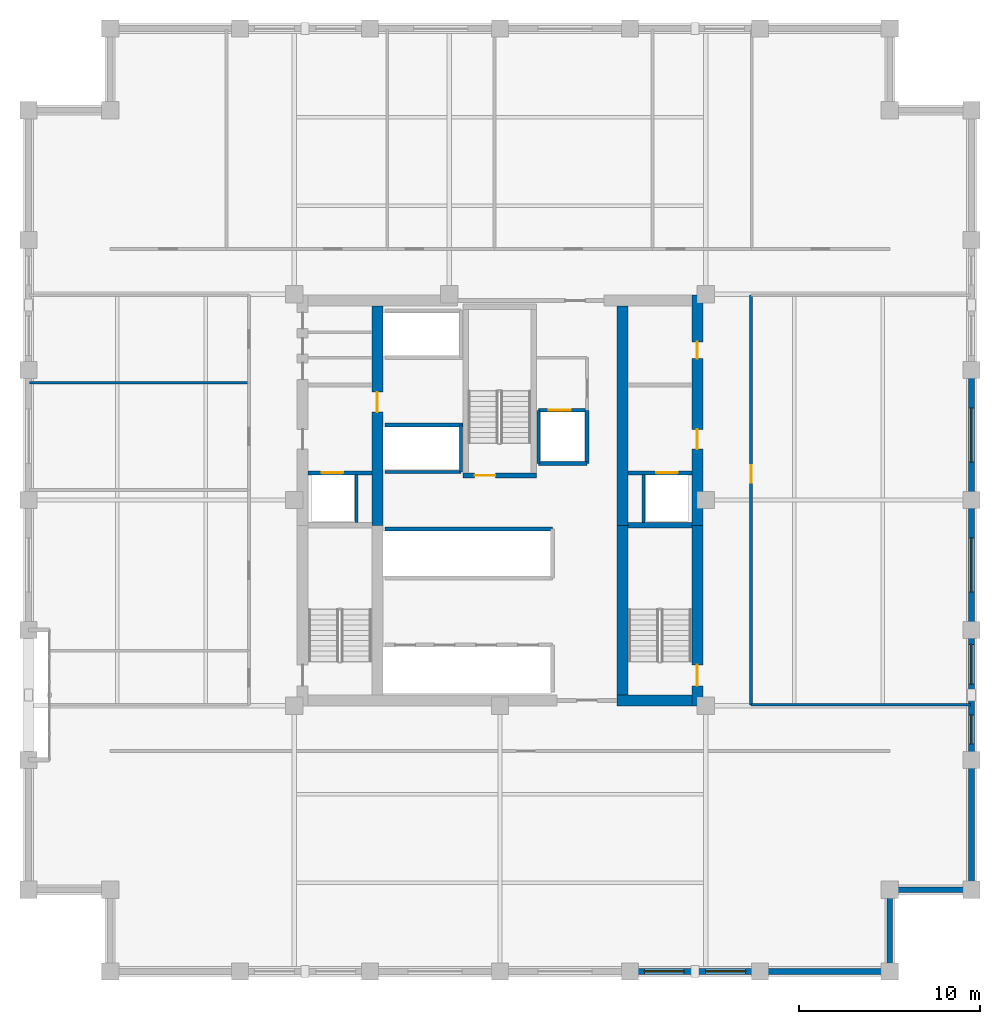
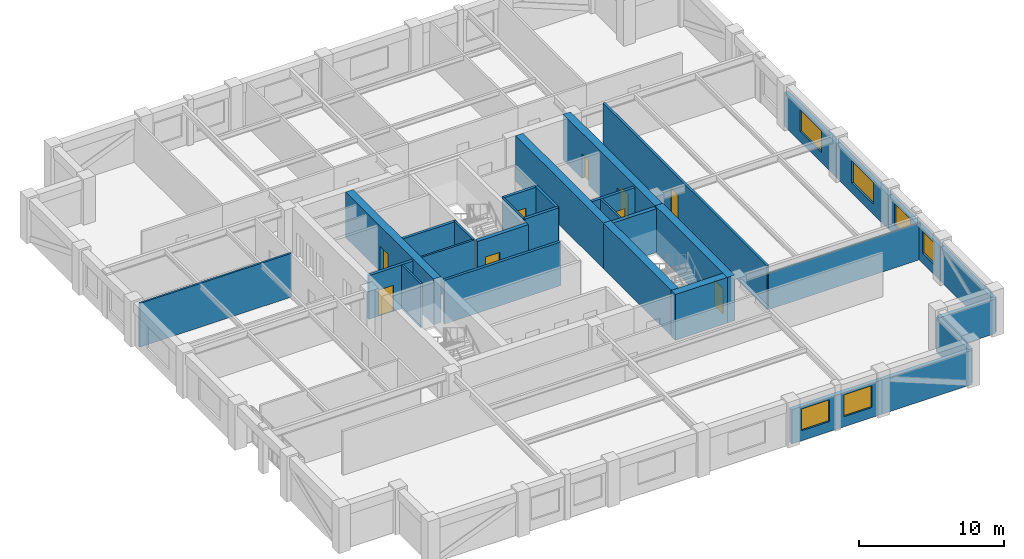
# One storey, part 7 of 11: 31 walls, 9 doors, 6 windows, 15 openings.
"""IFC4 building model written with IfcOpenShell, lengths in metres."""

from ifc_helpers import new_model, si_unit, direction, frame, frame_2d, origin, place, context, subcontext, project, spatial, rectangle, extrude, material, layer, layer_set, type_object, element, fill, save


model = new_model("IFC4")

# Units and contexts
model_context = context("Model", 3, precision=1e-05, world=origin(), true_north=direction((0.0, 1.0)))
body_context = subcontext(model_context, "Body", "Model", "MODEL_VIEW")
ifc_project = project(units=[si_unit("LENGTHUNIT", "METRE"), si_unit("AREAUNIT", "SQUARE_METRE"), si_unit("VOLUMEUNIT", "CUBIC_METRE"), si_unit("PLANEANGLEUNIT", "RADIAN"), si_unit("MASSUNIT", "GRAM", prefix="KILO")], contexts=[model_context])

# Site, building, storey
site_placement = place(None, origin())
site = spatial("IfcSite", under=ifc_project, at=site_placement, CompositionType="ELEMENT")
building_placement = place(site_placement, origin())
building = spatial("IfcBuilding", under=site, at=building_placement, Name="Nhamokura Convention Tower", CompositionType="ELEMENT")
storey_placement = place(building_placement, frame((0.0, 0.0, 168.35009765625)))
storey = spatial("IfcBuildingStorey", under=building, at=storey_placement, Name="L41", CompositionType="ELEMENT", Elevation=168.35009765625)

# Wall, openings, windows
ifc_material_1 = material(Name="Bronze-pigmented precast concrete C45/55", Category="concrete")
ifc_layer_1 = layer(ifc_material_1, 0.320068359375)
ifc_layer_set_1 = layer_set([ifc_layer_1], Name="BronzePrecastSpandrel_320")
wall_type_1 = type_object("IfcWallType", Name="BronzePrecastSpandrel_320", PredefinedType="USERDEFINED", material=ifc_layer_set_1)
wall_1_placement = place(storey_placement, frame((46.333251953125, 6.0, 0.0), z_axis=(0.0, 0.0, 1.0), x_axis=(-1.0, 0.0, 0.0)))
wall_1 = element("IfcWall", 1, at=wall_1_placement, inside=storey, type_object=wall_type_1, Name="L41 Masonry-Frame Wall SOUTH 4", ObjectType="SPANDREL_WALL", PredefinedType="USERDEFINED", context=body_context, shape_type="SweptSolid", body=[
    extrude(rectangle(XDim=7.16650390625, YDim=0.320068359375, at=frame_2d((3.583251953125, 0.0))), origin(), (0.0, 0.0, 1.0), 2.885009765625),
])
opening_1_placement = place(wall_1_placement, frame((0.791748046875, 0.0, 0.85009765625)))
opening_1 = element("IfcOpeningElement", 2, at=opening_1_placement, cuts=wall_1, Name="Opening W-06", PredefinedType="OPENING", context=body_context, shape_type="SweptSolid", body=[
    extrude(rectangle(XDim=2.199951171875, YDim=1.8349609375, at=frame_2d((1.10009765625, 0.91748046875))), frame((0.0, 0.169921875, 0.0), z_axis=(0.0, -1.0, 0.0), x_axis=(1.0, 0.0, 0.0)), (0.0, 0.0, 1.0), 0.340087890625),
])
opening_2_placement = place(wall_1_placement, frame((4.175048828125, 0.0, 0.85009765625)))
opening_2 = element("IfcOpeningElement", 3, at=opening_2_placement, cuts=wall_1, Name="Opening W-06", PredefinedType="OPENING", context=body_context, shape_type="SweptSolid", body=[
    extrude(rectangle(XDim=2.199951171875, YDim=1.8349609375, at=frame_2d((1.10009765625, 0.91748046875))), frame((0.0, 0.169921875, 0.0), z_axis=(0.0, -1.0, 0.0), x_axis=(1.0, 0.0, 0.0)), (0.0, 0.0, 1.0), 0.340087890625),
])
ifc_material_2 = material(Name="Solar-control bronze low-E double glass", Category="glass")
window_type_1 = type_object("IfcWindowType", Name="OfficeModuleWindow_Z2_2200", PartitioningType="SINGLE_PANEL", PredefinedType="WINDOW", material=ifc_material_2)
window_1_placement = place(opening_1_placement, origin())
window_1 = element("IfcWindow", 4, at=window_1_placement, inside=storey, type_object=window_type_1, Name="L41 Facade Window SOUTH 4-1", OverallHeight=1.8349609375, OverallWidth=2.199951171875, PartitioningType="SINGLE_PANEL", PredefinedType="WINDOW", context=body_context, shape_type="SweptSolid", body=[
    extrude(rectangle(XDim=2.199951171875, YDim=1.8349609375, at=frame_2d((1.10009765625, 0.91748046875))), frame((0.0, 0.030029296875, 0.0), z_axis=(0.0, -1.0, 0.0), x_axis=(1.0, 0.0, 0.0)), (0.0, 0.0, 1.0), 0.06005859375),
])
fill(opening_1, window_1)
window_2_placement = place(opening_2_placement, origin())
window_2 = element("IfcWindow", 5, at=window_2_placement, inside=storey, type_object=window_type_1, Name="L41 Facade Window SOUTH 4-2", OverallHeight=1.8349609375, OverallWidth=2.199951171875, PartitioningType="SINGLE_PANEL", PredefinedType="WINDOW", context=body_context, shape_type="SweptSolid", body=[
    extrude(rectangle(XDim=2.199951171875, YDim=1.8349609375, at=frame_2d((1.10009765625, 0.91748046875))), frame((0.0, 0.030029296875, 0.0), z_axis=(0.0, -1.0, 0.0), x_axis=(1.0, 0.0, 0.0)), (0.0, 0.0, 1.0), 0.06005859375),
])
fill(opening_2, window_2)

# Walls
for number, where, z_axis, x_axis, name in (
    (6, (53.5, 6.0, 0.0), (0.0, 0.0, 1.0), (-1.0, 0.0, 0.0), "L41 Braced-Bay Precast Wall SOUTH 5"),
    (7, (58.0, 17.666748046875, 0.0), (0.0, 0.0, 1.0), (0.0, -1.0, 0.0), "L41 Braced-Bay Precast Wall EAST 0"),
):
    element("IfcWall", number, at=place(storey_placement, frame(where, z_axis=z_axis, x_axis=x_axis)), inside=storey, type_object=wall_type_1, Name=name, ObjectType="SPANDREL_WALL", PredefinedType="USERDEFINED", context=body_context, shape_type="SweptSolid", body=[
        extrude(rectangle(XDim=7.166748046875, YDim=0.320068359375, at=frame_2d((3.58349609375, 0.0))), origin(), (0.0, 0.0, 1.0), 2.885009765625),
    ])

# Wall, openings, windows
wall_2_placement = place(storey_placement, frame((58.0, 24.833251953125, 0.0), z_axis=(0.0, 0.0, 1.0), x_axis=(0.0, -1.0, 0.0)))
wall_2 = element("IfcWall", 8, at=wall_2_placement, inside=storey, type_object=wall_type_1, Name="L41 Masonry-Frame Wall EAST 1", ObjectType="SPANDREL_WALL", PredefinedType="USERDEFINED", context=body_context, shape_type="SweptSolid", body=[
    extrude(rectangle(XDim=7.16650390625, YDim=0.320068359375, at=frame_2d((3.583251953125, 0.0))), origin(), (0.0, 0.0, 1.0), 2.885009765625),
])
opening_3_placement = place(wall_2_placement, frame((0.791748046875, 0.0, 0.85009765625)))
opening_3 = element("IfcOpeningElement", 9, at=opening_3_placement, cuts=wall_2, Name="Opening W-06", PredefinedType="OPENING", context=body_context, shape_type="SweptSolid", body=[
    extrude(rectangle(XDim=2.199951171875, YDim=1.8349609375, at=frame_2d((1.10009765625, 0.91748046875))), frame((0.0, 0.169921875, 0.0), z_axis=(0.0, -1.0, 0.0), x_axis=(1.0, 0.0, 0.0)), (0.0, 0.0, 1.0), 0.340087890625),
])
opening_4_placement = place(wall_2_placement, frame((4.6875, 0.0, 0.85009765625)))
opening_4 = element("IfcOpeningElement", 10, at=opening_4_placement, cuts=wall_2, Name="Opening W-11", PredefinedType="OPENING", context=body_context, shape_type="SweptSolid", body=[
    extrude(rectangle(XDim=1.60009765625, YDim=1.8349609375, at=frame_2d((0.800048828125, 0.91748046875))), frame((0.0, 0.169921875, 0.0), z_axis=(0.0, -1.0, 0.0), x_axis=(1.0, 0.0, 0.0)), (0.0, 0.0, 1.0), 0.340087890625),
])
ifc_material_3 = material(Name="Solar-control bronze low-E double glass", Category="glass")
window_type_2 = type_object("IfcWindowType", Name="NotchCornerWindow_1600", PartitioningType="SINGLE_PANEL", PredefinedType="WINDOW", material=ifc_material_3)
window_3_placement = place(opening_4_placement, origin())
window_3 = element("IfcWindow", 11, at=window_3_placement, inside=storey, type_object=window_type_2, Name="L41 Facade Window EAST 1-2", OverallHeight=1.8349609375, OverallWidth=1.60009765625, PartitioningType="SINGLE_PANEL", PredefinedType="WINDOW", context=body_context, shape_type="SweptSolid", body=[
    extrude(rectangle(XDim=1.60009765625, YDim=1.8349609375, at=frame_2d((0.800048828125, 0.91748046875))), frame((0.0, 0.030029296875, 0.0), z_axis=(0.0, -1.0, 0.0), x_axis=(1.0, 0.0, 0.0)), (0.0, 0.0, 1.0), 0.06005859375),
])
fill(opening_4, window_3)
window_4_placement = place(opening_3_placement, origin())
window_4 = element("IfcWindow", 12, at=window_4_placement, inside=storey, type_object=window_type_1, Name="L41 Facade Window EAST 1-1", OverallHeight=1.8349609375, OverallWidth=2.199951171875, PartitioningType="SINGLE_PANEL", PredefinedType="WINDOW", context=body_context, shape_type="SweptSolid", body=[
    extrude(rectangle(XDim=2.199951171875, YDim=1.8349609375, at=frame_2d((1.10009765625, 0.91748046875))), frame((0.0, 0.030029296875, 0.0), z_axis=(0.0, -1.0, 0.0), x_axis=(1.0, 0.0, 0.0)), (0.0, 0.0, 1.0), 0.06005859375),
])
fill(opening_3, window_4)

# Wall, opening, window
wall_3_placement = place(storey_placement, frame((58.0, 32.0, 0.0), z_axis=(0.0, 0.0, 1.0), x_axis=(0.0, -1.0, 0.0)))
wall_3 = element("IfcWall", 13, at=wall_3_placement, inside=storey, type_object=wall_type_1, Name="L41 Masonry-Frame Wall EAST 2", ObjectType="SPANDREL_WALL", PredefinedType="USERDEFINED", context=body_context, shape_type="SweptSolid", body=[
    extrude(rectangle(XDim=7.166748046875, YDim=0.320068359375, at=frame_2d((3.58349609375, 0.0))), origin(), (0.0, 0.0, 1.0), 2.885009765625),
])
opening_5_placement = place(wall_3_placement, frame((2.083251953125, 0.0, 0.85009765625)))
opening_5 = element("IfcOpeningElement", 14, at=opening_5_placement, cuts=wall_3, Name="Opening W-05", PredefinedType="OPENING", context=body_context, shape_type="SweptSolid", body=[
    extrude(rectangle(XDim=3.0, YDim=1.8349609375, at=frame_2d((1.5, 0.91748046875))), frame((0.0, 0.169921875, 0.0), z_axis=(0.0, -1.0, 0.0), x_axis=(1.0, 0.0, 0.0)), (0.0, 0.0, 1.0), 0.340087890625),
])
ifc_material_4 = material(Name="Solar-control bronze low-E double glass", Category="glass")
window_type_3 = type_object("IfcWindowType", Name="OfficeModuleWindow_Z2_3000", PartitioningType="DOUBLE_PANEL_VERTICAL", PredefinedType="WINDOW", material=ifc_material_4)
window_5_placement = place(opening_5_placement, origin())
window_5 = element("IfcWindow", 15, at=window_5_placement, inside=storey, type_object=window_type_3, Name="L41 Facade Window EAST 2", OverallHeight=1.8349609375, OverallWidth=3.0, PartitioningType="SINGLE_PANEL", PredefinedType="WINDOW", context=body_context, shape_type="SweptSolid", body=[
    extrude(rectangle(XDim=3.0, YDim=1.8349609375, at=frame_2d((1.5, 0.91748046875))), frame((0.0, 0.030029296875, 0.0), z_axis=(0.0, -1.0, 0.0), x_axis=(1.0, 0.0, 0.0)), (0.0, 0.0, 1.0), 0.06005859375),
])
fill(opening_5, window_5)

wall_4_placement = place(storey_placement, frame((58.0, 39.166748046875, 0.0), z_axis=(0.0, 0.0, 1.0), x_axis=(0.0, -1.0, 0.0)))
wall_4 = element("IfcWall", 16, at=wall_4_placement, inside=storey, type_object=wall_type_1, Name="L41 Masonry-Frame Wall EAST 3", ObjectType="SPANDREL_WALL", PredefinedType="USERDEFINED", context=body_context, shape_type="SweptSolid", body=[
    extrude(rectangle(XDim=7.166748046875, YDim=0.320068359375, at=frame_2d((3.58349609375, 0.0))), origin(), (0.0, 0.0, 1.0), 2.885009765625),
])
opening_6_placement = place(wall_4_placement, frame((2.083251953125, 0.0, 0.85009765625)))
opening_6 = element("IfcOpeningElement", 17, at=opening_6_placement, cuts=wall_4, Name="Opening W-05", PredefinedType="OPENING", context=body_context, shape_type="SweptSolid", body=[
    extrude(rectangle(XDim=3.0, YDim=1.8349609375, at=frame_2d((1.5, 0.91748046875))), frame((0.0, 0.169921875, 0.0), z_axis=(0.0, -1.0, 0.0), x_axis=(1.0, 0.0, 0.0)), (0.0, 0.0, 1.0), 0.340087890625),
])
window_6_placement = place(opening_6_placement, origin())
window_6 = element("IfcWindow", 18, at=window_6_placement, inside=storey, type_object=window_type_3, Name="L41 Facade Window EAST 3", OverallHeight=1.8349609375, OverallWidth=3.0, PartitioningType="SINGLE_PANEL", PredefinedType="WINDOW", context=body_context, shape_type="SweptSolid", body=[
    extrude(rectangle(XDim=3.0, YDim=1.8349609375, at=frame_2d((1.5, 0.91748046875))), frame((0.0, 0.030029296875, 0.0), z_axis=(0.0, -1.0, 0.0), x_axis=(1.0, 0.0, 0.0)), (0.0, 0.0, 1.0), 0.06005859375),
])
fill(opening_6, window_6)

# Walls
for number, where, z_axis, x_axis, name in (
    (19, (53.5, 10.5, 0.0), (0.0, 0.0, 1.0), (0.0, -1.0, 0.0), "L41 Notched Corner Wall SE1"),
    (20, (58.0, 10.5, 0.0), (0.0, 0.0, 1.0), (-1.0, 0.0, 0.0), "L41 Notched Corner Wall SE2"),
):
    element("IfcWall", number, at=place(storey_placement, frame(where, z_axis=z_axis, x_axis=x_axis)), inside=storey, type_object=wall_type_1, Name=name, ObjectType="SPANDREL_WALL", PredefinedType="USERDEFINED", context=body_context, shape_type="SweptSolid", body=[
        extrude(rectangle(XDim=4.5, YDim=0.320068359375, at=frame_2d((2.25, 0.0))), origin(), (0.0, 0.0, 1.0), 2.885009765625),
    ])

# Wall, opening, door
ifc_material_5 = material(Name="Concrete C60/75", Category="concrete")
ifc_layer_2 = layer(ifc_material_5, 0.60009765625)
ifc_layer_set_2 = layer_set([ifc_layer_2], Name="CoreShearWall_600")
wall_type_2 = type_object("IfcWallType", Name="CoreShearWall_600", PredefinedType="SHEAR", material=ifc_layer_set_2)
wall_5_placement = place(storey_placement, frame((42.889892578125, 20.64990234375, 0.0), z_axis=(0.0, 0.0, 1.0), x_axis=(0.0, 1.0, 0.0)))
wall_5 = element("IfcWall", 21, at=wall_5_placement, inside=storey, type_object=wall_type_2, Name="L41 Core Shear Wall CW-ES", PredefinedType="SHEAR", context=body_context, shape_type="SweptSolid", body=[
    extrude(rectangle(XDim=9.9501953125, YDim=0.60009765625, at=frame_2d((4.97509765625, 0.0))), origin(), (0.0, 0.0, 1.0), 3.849853515625),
])
opening_7_placement = place(wall_5_placement, frame((1.10009765625, 0.0, 0.0)))
opening_7 = element("IfcOpeningElement", 22, at=opening_7_placement, cuts=wall_5, Name="Opening D-04", PredefinedType="OPENING", context=body_context, shape_type="SweptSolid", body=[
    extrude(rectangle(XDim=1.14990234375, YDim=2.14990234375, at=frame_2d((0.574951171875, 1.074951171875))), frame((0.0, 0.31005859375, 0.0), z_axis=(0.0, -1.0, 0.0), x_axis=(1.0, 0.0, 0.0)), (0.0, 0.0, 1.0), 0.6201171875),
])
ifc_material_6 = material(Name="Fire-rated steel door", Category="steel")
door_type_1 = type_object("IfcDoorType", Name="StairSmokeDoor_1150", OperationType="NOTDEFINED", PredefinedType="DOOR", material=ifc_material_6)
door_1_placement = place(opening_7_placement, origin())
door_1 = element("IfcDoor", 23, at=door_1_placement, inside=storey, type_object=door_type_1, Name="L41 Core Door INT-L41-D-ST02", OperationType="SINGLE_SWING_RIGHT", OverallHeight=2.14990234375, OverallWidth=1.14990234375, PredefinedType="DOOR", context=body_context, shape_type="SweptSolid", body=[
    extrude(rectangle(XDim=1.14990234375, YDim=2.14990234375, at=frame_2d((0.574951171875, 1.074951171875))), frame((0.0, 0.02490234375, 0.0), z_axis=(0.0, -1.0, 0.0), x_axis=(1.0, 0.0, 0.0)), (0.0, 0.0, 1.0), 0.050048828125),
])
fill(opening_7, door_1)

# Wall, openings, doors
wall_6_placement = place(storey_placement, frame((42.889892578125, 30.60009765625, 0.0), z_axis=(0.0, 0.0, 1.0), x_axis=(0.0, 1.0, 0.0)))
wall_6 = element("IfcWall", 24, at=wall_6_placement, inside=storey, type_object=wall_type_2, Name="L41 Core Shear Wall CW-EN", PredefinedType="SHEAR", context=body_context, shape_type="SweptSolid", body=[
    extrude(rectangle(XDim=12.699951171875, YDim=0.60009765625, at=frame_2d((6.35009765625, 0.0))), origin(), (0.0, 0.0, 1.0), 3.849853515625),
])
opening_8_placement = place(wall_6_placement, frame((4.199951171875, 0.0, 0.0)))
opening_8 = element("IfcOpeningElement", 25, at=opening_8_placement, cuts=wall_6, Name="Opening D-05", PredefinedType="OPENING", context=body_context, shape_type="SweptSolid", body=[
    extrude(rectangle(XDim=1.10009765625, YDim=2.14990234375, at=frame_2d((0.550048828125, 1.074951171875))), frame((0.0, 0.31005859375, 0.0), z_axis=(0.0, -1.0, 0.0), x_axis=(1.0, 0.0, 0.0)), (0.0, 0.0, 1.0), 0.6201171875),
])
opening_9_placement = place(wall_6_placement, frame((9.199951171875, 0.0, 0.0)))
opening_9 = element("IfcOpeningElement", 26, at=opening_9_placement, cuts=wall_6, Name="Opening D-10", PredefinedType="OPENING", context=body_context, shape_type="SweptSolid", body=[
    extrude(rectangle(XDim=0.919921875, YDim=2.10009765625, at=frame_2d((0.4599609375, 1.050048828125))), frame((0.0, 0.31005859375, 0.0), z_axis=(0.0, -1.0, 0.0), x_axis=(1.0, 0.0, 0.0)), (0.0, 0.0, 1.0), 0.6201171875),
])
ifc_material_7 = material(Name="Solid oak hardwood", Category="wood")
door_type_2 = type_object("IfcDoorType", Name="AccessibleWCDoor_920", OperationType="NOTDEFINED", PredefinedType="DOOR", material=ifc_material_7)
door_2_placement = place(opening_9_placement, origin())
door_2 = element("IfcDoor", 27, at=door_2_placement, inside=storey, type_object=door_type_2, Name="L41 Core Door INT-L41-D-UWC", OperationType="SINGLE_SWING_RIGHT", OverallHeight=2.10009765625, OverallWidth=0.919921875, PredefinedType="DOOR", context=body_context, shape_type="SweptSolid", body=[
    extrude(rectangle(XDim=0.919921875, YDim=2.10009765625, at=frame_2d((0.4599609375, 1.050048828125))), frame((0.0, 0.02490234375, 0.0), z_axis=(0.0, -1.0, 0.0), x_axis=(1.0, 0.0, 0.0)), (0.0, 0.0, 1.0), 0.050048828125),
])
fill(opening_9, door_2)
ifc_material_8 = material(Name="Fire-rated steel door", Category="steel")
door_type_3 = type_object("IfcDoorType", Name="FireLobbyDoor_1100", OperationType="NOTDEFINED", PredefinedType="DOOR", material=ifc_material_8)
door_3_placement = place(opening_8_placement, origin())
door_3 = element("IfcDoor", 28, at=door_3_placement, inside=storey, type_object=door_type_3, Name="L41 Core Door INT-L41-D-FFLE", OperationType="SINGLE_SWING_LEFT", OverallHeight=2.14990234375, OverallWidth=1.10009765625, PredefinedType="DOOR", context=body_context, shape_type="SweptSolid", body=[
    extrude(rectangle(XDim=1.10009765625, YDim=2.14990234375, at=frame_2d((0.550048828125, 1.074951171875))), frame((0.0, 0.02490234375, 0.0), z_axis=(0.0, -1.0, 0.0), x_axis=(1.0, 0.0, 0.0)), (0.0, 0.0, 1.0), 0.050048828125),
])
fill(opening_8, door_3)

# Wall
wall_7_placement = place(storey_placement, frame((38.449951171875, 20.949951171875, 0.0), z_axis=(0.0, 0.0, 1.0), x_axis=(1.0, 0.0, 0.0)))
element("IfcWall", 29, at=wall_7_placement, inside=storey, type_object=wall_type_2, Name="L41 Core Shear Wall CW-S2", PredefinedType="SHEAR", context=body_context, shape_type="SweptSolid", body=[
    extrude(rectangle(XDim=4.14013671875, YDim=0.60009765625, at=frame_2d((2.070068359375, 0.0))), origin(), (0.0, 0.0, 1.0), 3.849853515625),
])

# Wall, opening, door
wall_8_placement = place(storey_placement, frame((25.239990234375, 30.60009765625, 0.0), z_axis=(0.0, 0.0, 1.0), x_axis=(0.0, 1.0, 0.0)))
wall_8 = element("IfcWall", 30, at=wall_8_placement, inside=storey, type_object=wall_type_2, Name="L41 Core Shear Wall CW-IWN", PredefinedType="SHEAR", context=body_context, shape_type="SweptSolid", body=[
    extrude(rectangle(XDim=12.099853515625, YDim=0.60009765625, at=frame_2d((6.0498046875, 0.0))), origin(), (0.0, 0.0, 1.0), 3.849853515625),
])
opening_10_placement = place(wall_8_placement, frame((6.25, 0.0, 0.0)))
opening_10 = element("IfcOpeningElement", 31, at=opening_10_placement, cuts=wall_8, Name="Opening D-05", PredefinedType="OPENING", context=body_context, shape_type="SweptSolid", body=[
    extrude(rectangle(XDim=1.10009765625, YDim=2.14990234375, at=frame_2d((0.550048828125, 1.074951171875))), frame((0.0, 0.31005859375, 0.0), z_axis=(0.0, -1.0, 0.0), x_axis=(1.0, 0.0, 0.0)), (0.0, 0.0, 1.0), 0.6201171875),
])
door_4_placement = place(opening_10_placement, origin())
door_4 = element("IfcDoor", 32, at=door_4_placement, inside=storey, type_object=door_type_3, Name="L41 Core Door INT-L41-D-B3LOB", OperationType="SINGLE_SWING_LEFT", OverallHeight=2.14990234375, OverallWidth=1.10009765625, PredefinedType="DOOR", context=body_context, shape_type="SweptSolid", body=[
    extrude(rectangle(XDim=1.10009765625, YDim=2.14990234375, at=frame_2d((0.550048828125, 1.074951171875))), frame((0.0, 0.02490234375, 0.0), z_axis=(0.0, -1.0, 0.0), x_axis=(1.0, 0.0, 0.0)), (0.0, 0.0, 1.0), 0.050048828125),
])
fill(opening_10, door_4)

# Walls
wall_9_placement = place(storey_placement, frame((38.760009765625, 21.25, 0.0), z_axis=(0.0, 0.0, 1.0), x_axis=(0.0, 1.0, 0.0)))
element("IfcWall", 33, at=wall_9_placement, inside=storey, type_object=wall_type_2, Name="L41 Core Shear Wall CW-IES", PredefinedType="SHEAR", context=body_context, shape_type="SweptSolid", body=[
    extrude(rectangle(XDim=9.35009765625, YDim=0.60009765625, at=frame_2d((4.675048828125, 0.0))), origin(), (0.0, 0.0, 1.0), 3.849853515625),
])
wall_10_placement = place(storey_placement, frame((38.760009765625, 30.60009765625, 0.0), z_axis=(0.0, 0.0, 1.0), x_axis=(0.0, 1.0, 0.0)))
element("IfcWall", 34, at=wall_10_placement, inside=storey, type_object=wall_type_2, Name="L41 Core Shear Wall CW-IEN", PredefinedType="SHEAR", context=body_context, shape_type="SweptSolid", body=[
    extrude(rectangle(XDim=12.099853515625, YDim=0.60009765625, at=frame_2d((6.0498046875, 0.0))), origin(), (0.0, 0.0, 1.0), 3.849853515625),
])

# Wall, opening, door
ifc_material_9 = material(Name="Fire-rated gypsum and masonry partition", Category="masonry")
ifc_layer_3 = layer(ifc_material_9, 0.179931640625)
ifc_layer_set_3 = layer_set([ifc_layer_3], Name="CorridorRatedWall_180")
wall_type_3 = type_object("IfcWallType", Name="CorridorRatedWall_180", PredefinedType="STANDARD", material=ifc_layer_set_3)
wall_11_placement = place(storey_placement, frame((45.85009765625, 20.699951171875, 0.0), z_axis=(0.0, 0.0, 1.0), x_axis=(0.0, 1.0, 0.0)))
wall_11 = element("IfcWall", 35, at=wall_11_placement, inside=storey, type_object=wall_type_3, Name="L41 Wall INT-L41-CW-E00", PredefinedType="STANDARD", context=body_context, shape_type="SweptSolid", body=[
    extrude(rectangle(XDim=22.60009765625, YDim=0.179931640625, at=frame_2d((11.300048828125, 0.0))), origin(), (0.0, 0.0, 1.0), 3.684814453125),
])
opening_11_placement = place(wall_11_placement, frame((12.25, 0.0, 0.0)))
opening_11 = element("IfcOpeningElement", 36, at=opening_11_placement, cuts=wall_11, Name="Opening D-08", PredefinedType="OPENING", context=body_context, shape_type="SweptSolid", body=[
    extrude(rectangle(XDim=0.97998046875, YDim=2.199951171875, at=frame_2d((0.489990234375, 1.10009765625))), frame((0.0, 0.099853515625, 0.0), z_axis=(0.0, -1.0, 0.0), x_axis=(1.0, 0.0, 0.0)), (0.0, 0.0, 1.0), 0.199951171875),
])
ifc_material_10 = material(Name="Solid oak hardwood", Category="wood")
door_type_4 = type_object("IfcDoorType", Name="OfficeEntryDoor_980", OperationType="NOTDEFINED", PredefinedType="DOOR", material=ifc_material_10)
door_5_placement = place(opening_11_placement, origin())
door_5 = element("IfcDoor", 37, at=door_5_placement, inside=storey, type_object=door_type_4, Name="L41 Staff Kitchen E01 Door", OperationType="SINGLE_SWING_LEFT", OverallHeight=2.199951171875, OverallWidth=0.97998046875, PredefinedType="DOOR", context=body_context, shape_type="SweptSolid", body=[
    extrude(rectangle(XDim=0.97998046875, YDim=2.199951171875, at=frame_2d((0.489990234375, 1.10009765625))), frame((0.0, 0.02490234375, 0.0), z_axis=(0.0, -1.0, 0.0), x_axis=(1.0, 0.0, 0.0)), (0.0, 0.0, 1.0), 0.050048828125),
])
fill(opening_11, door_5)

ifc_material_11 = material(Name="Autoclaved concrete blockwork", Category="masonry")
ifc_layer_4 = layer(ifc_material_11, 0.219970703125)
ifc_layer_set_4 = layer_set([ifc_layer_4], Name="FireLobbyWall_220")
wall_type_4 = type_object("IfcWallType", Name="FireLobbyWall_220", PredefinedType="STANDARD", material=ifc_layer_set_4)
wall_12_placement = place(storey_placement, frame((21.409912109375, 33.5, 0.0), z_axis=(0.0, 0.0, 1.0), x_axis=(1.0, 0.0, 0.0)))
wall_12 = element("IfcWall", 38, at=wall_12_placement, inside=storey, type_object=wall_type_4, Name="L41 Wall INT-L41-FFW-S", PredefinedType="STANDARD", context=body_context, shape_type="SweptSolid", body=[
    extrude(rectangle(XDim=3.530029296875, YDim=0.219970703125, at=frame_2d((1.76513671875, 0.0))), origin(), (0.0, 0.0, 1.0), 3.684814453125),
])
opening_12_placement = place(wall_12_placement, frame((0.75, 0.0, 0.0)))
opening_12 = element("IfcOpeningElement", 39, at=opening_12_placement, cuts=wall_12, Name="Opening LD-02", PredefinedType="OPENING", context=body_context, shape_type="SweptSolid", body=[
    extrude(rectangle(XDim=1.199951171875, YDim=2.199951171875, at=frame_2d((0.60009765625, 1.10009765625))), frame((0.0, 0.119873046875, 0.0), z_axis=(0.0, -1.0, 0.0), x_axis=(1.0, 0.0, 0.0)), (0.0, 0.0, 1.0), 0.239990234375),
])
ifc_material_12 = material(Name="Anodised bronze stainless steel", Category="steel")
door_type_5 = type_object("IfcDoorType", Name="LiftLandingDoor_FireService", OperationType="DOUBLE_DOOR_SLIDING", PredefinedType="DOOR", material=ifc_material_12)
door_6_placement = place(opening_12_placement, origin())
door_6 = element("IfcDoor", 40, at=door_6_placement, inside=storey, type_object=door_type_5, Name="L41 Firefighting Lift LF-01 Door", OperationType="DOUBLE_DOOR_SLIDING", OverallHeight=2.199951171875, OverallWidth=1.199951171875, PredefinedType="DOOR", context=body_context, shape_type="SweptSolid", body=[
    extrude(rectangle(XDim=1.199951171875, YDim=2.199951171875, at=frame_2d((0.60009765625, 1.10009765625))), frame((0.0, 0.02490234375, 0.0), z_axis=(0.0, -1.0, 0.0), x_axis=(1.0, 0.0, 0.0)), (0.0, 0.0, 1.0), 0.050048828125),
])
fill(opening_12, door_6)

wall_13_placement = place(storey_placement, frame((39.06005859375, 33.5, 0.0), z_axis=(0.0, 0.0, 1.0), x_axis=(1.0, 0.0, 0.0)))
wall_13 = element("IfcWall", 41, at=wall_13_placement, inside=storey, type_object=wall_type_4, Name="L41 Wall INT-L41-FFE-S", PredefinedType="STANDARD", context=body_context, shape_type="SweptSolid", body=[
    extrude(rectangle(XDim=3.530029296875, YDim=0.219970703125, at=frame_2d((1.76513671875, 0.0))), origin(), (0.0, 0.0, 1.0), 3.684814453125),
])
opening_13_placement = place(wall_13_placement, frame((1.550048828125, 0.0, 0.0)))
opening_13 = element("IfcOpeningElement", 42, at=opening_13_placement, cuts=wall_13, Name="Opening LD-02", PredefinedType="OPENING", context=body_context, shape_type="SweptSolid", body=[
    extrude(rectangle(XDim=1.199951171875, YDim=2.199951171875, at=frame_2d((0.60009765625, 1.10009765625))), frame((0.0, 0.119873046875, 0.0), z_axis=(0.0, -1.0, 0.0), x_axis=(1.0, 0.0, 0.0)), (0.0, 0.0, 1.0), 0.239990234375),
])
door_7_placement = place(opening_13_placement, origin())
door_7 = element("IfcDoor", 43, at=door_7_placement, inside=storey, type_object=door_type_5, Name="L41 Firefighting Lift LF-02 Door", OperationType="DOUBLE_DOOR_SLIDING", OverallHeight=2.199951171875, OverallWidth=1.199951171875, PredefinedType="DOOR", context=body_context, shape_type="SweptSolid", body=[
    extrude(rectangle(XDim=1.199951171875, YDim=2.199951171875, at=frame_2d((0.60009765625, 1.10009765625))), frame((0.0, 0.02490234375, 0.0), z_axis=(0.0, -1.0, 0.0), x_axis=(1.0, 0.0, 0.0)), (0.0, 0.0, 1.0), 0.050048828125),
])
fill(opening_13, door_7)

# Walls
wall_14_placement = place(storey_placement, frame((25.64990234375, 30.39990234375, 0.0), z_axis=(0.0, 0.0, 1.0), x_axis=(1.0, 0.0, 0.0)))
element("IfcWall", 44, at=wall_14_placement, inside=storey, type_object=wall_type_4, Name="L41 Wall INT-L41-B2N", PredefinedType="STANDARD", context=body_context, shape_type="SweptSolid", body=[
    extrude(rectangle(XDim=9.25, YDim=0.219970703125, at=frame_2d((4.625, 0.0))), origin(), (0.0, 0.0, 1.0), 3.684814453125),
])
wall_15_placement = place(storey_placement, frame((25.64990234375, 36.14990234375, 0.0), z_axis=(0.0, 0.0, 1.0), x_axis=(1.0, 0.0, 0.0)))
element("IfcWall", 45, at=wall_15_placement, inside=storey, type_object=wall_type_4, Name="L41 Wall INT-L41-B3S", PredefinedType="STANDARD", context=body_context, shape_type="SweptSolid", body=[
    extrude(rectangle(XDim=4.300048828125, YDim=0.219970703125, at=frame_2d((2.14990234375, 0.0))), origin(), (0.0, 0.0, 1.0), 3.684814453125),
])

# Wall, opening, door
wall_16_placement = place(storey_placement, frame((34.1201171875, 36.949951171875, 0.0), z_axis=(0.0, 0.0, 1.0), x_axis=(1.0, 0.0, 0.0)))
wall_16 = element("IfcWall", 46, at=wall_16_placement, inside=storey, type_object=wall_type_4, Name="L41 Wall INT-L41-LSN", PredefinedType="STANDARD", context=body_context, shape_type="SweptSolid", body=[
    extrude(rectangle(XDim=2.679931640625, YDim=0.219970703125, at=frame_2d((1.33984375, 0.0))), origin(), (0.0, 0.0, 1.0), 3.684814453125),
])
opening_14_placement = place(wall_16_placement, frame((0.580078125, 0.0, 0.0)))
opening_14 = element("IfcOpeningElement", 47, at=opening_14_placement, cuts=wall_16, Name="Opening LD-02", PredefinedType="OPENING", context=body_context, shape_type="SweptSolid", body=[
    extrude(rectangle(XDim=1.199951171875, YDim=2.199951171875, at=frame_2d((0.60009765625, 1.10009765625))), frame((0.0, 0.119873046875, 0.0), z_axis=(0.0, -1.0, 0.0), x_axis=(1.0, 0.0, 0.0)), (0.0, 0.0, 1.0), 0.239990234375),
])
door_8_placement = place(opening_14_placement, origin())
door_8 = element("IfcDoor", 48, at=door_8_placement, inside=storey, type_object=door_type_5, Name="L41 Service Lift LS-01 Door", OperationType="DOUBLE_DOOR_SLIDING", OverallHeight=2.199951171875, OverallWidth=1.199951171875, PredefinedType="DOOR", context=body_context, shape_type="SweptSolid", body=[
    extrude(rectangle(XDim=1.199951171875, YDim=2.199951171875, at=frame_2d((0.60009765625, 1.10009765625))), frame((0.0, 0.02490234375, 0.0), z_axis=(0.0, -1.0, 0.0), x_axis=(1.0, 0.0, 0.0)), (0.0, 0.0, 1.0), 0.050048828125),
])
fill(opening_14, door_8)

# Walls
wall_17_placement = place(storey_placement, frame((36.800048828125, 34.02001953125, 0.0), z_axis=(0.0, 0.0, 1.0), x_axis=(0.0, 1.0, 0.0)))
element("IfcWall", 49, at=wall_17_placement, inside=storey, type_object=wall_type_4, Name="L41 Wall INT-L41-LSE", PredefinedType="STANDARD", context=body_context, shape_type="SweptSolid", body=[
    extrude(rectangle(XDim=2.929931640625, YDim=0.219970703125, at=frame_2d((1.46484375, 0.0))), origin(), (0.0, 0.0, 1.0), 3.684814453125),
])
wall_18_placement = place(storey_placement, frame((34.1201171875, 34.02001953125, 0.0), z_axis=(0.0, 0.0, 1.0), x_axis=(1.0, 0.0, 0.0)))
element("IfcWall", 50, at=wall_18_placement, inside=storey, type_object=wall_type_4, Name="L41 Wall INT-L41-LSS", PredefinedType="STANDARD", context=body_context, shape_type="SweptSolid", body=[
    extrude(rectangle(XDim=2.679931640625, YDim=0.219970703125, at=frame_2d((1.33984375, 0.0))), origin(), (0.0, 0.0, 1.0), 3.684814453125),
])
ifc_material_13 = material(Name="Acoustic gypsum stud partition", Category="masonry")
ifc_layer_5 = layer(ifc_material_13, 0.14990234375)
ifc_layer_set_5 = layer_set([ifc_layer_5], Name="InteriorPartition_150")
wall_type_5 = type_object("IfcWallType", Name="InteriorPartition_150", PredefinedType="STANDARD", material=ifc_layer_set_5)
for number, where, z_axis, x_axis, name in (
    (51, (24.080078125, 30.75, 0.0), (0.0, 0.0, 1.0), (0.0, 1.0, 0.0), "L41 Wall INT-L41-FF1-E"),
    (52, (39.919921875, 30.75, 0.0), (0.0, 0.0, 1.0), (0.0, 1.0, 0.0), "L41 Wall INT-L41-FF2-W"),
):
    element("IfcWall", number, at=place(storey_placement, frame(where, z_axis=z_axis, x_axis=x_axis)), inside=storey, type_object=wall_type_5, Name=name, PredefinedType="STANDARD", context=body_context, shape_type="SweptSolid", body=[
        extrude(rectangle(XDim=2.64990234375, YDim=0.14990234375, at=frame_2d((1.324951171875, 0.0))), origin(), (0.0, 0.0, 1.0), 3.684814453125),
    ])
wall_19_placement = place(storey_placement, frame((25.64990234375, 33.550048828125, 0.0), z_axis=(0.0, 0.0, 1.0), x_axis=(1.0, 0.0, 0.0)))
element("IfcWall", 53, at=wall_19_placement, inside=storey, type_object=wall_type_5, Name="L41 Wall INT-L41-B3A-S", PredefinedType="STANDARD", context=body_context, shape_type="SweptSolid", body=[
    extrude(rectangle(XDim=4.2001953125, YDim=0.14990234375, at=frame_2d((2.10009765625, 0.0))), origin(), (0.0, 0.0, 1.0), 3.684814453125),
])
wall_20_placement = place(storey_placement, frame((29.85009765625, 33.550048828125, 0.0), z_axis=(0.0, 0.0, 1.0), x_axis=(0.0, 1.0, 0.0)))
element("IfcWall", 54, at=wall_20_placement, inside=storey, type_object=wall_type_5, Name="L41 Wall INT-L41-B3A-E", PredefinedType="STANDARD", context=body_context, shape_type="SweptSolid", body=[
    extrude(rectangle(XDim=2.599853515625, YDim=0.14990234375, at=frame_2d((1.2998046875, 0.0))), origin(), (0.0, 0.0, 1.0), 3.684814453125),
])
wall_21_placement = place(storey_placement, frame((34.1201171875, 34.02001953125, 0.0), z_axis=(0.0, 0.0, 1.0), x_axis=(0.0, 1.0, 0.0)))
element("IfcWall", 55, at=wall_21_placement, inside=storey, type_object=wall_type_5, Name="L41 Wall INT-L41-LSW", PredefinedType="STANDARD", context=body_context, shape_type="SweptSolid", body=[
    extrude(rectangle(XDim=2.929931640625, YDim=0.14990234375, at=frame_2d((1.46484375, 0.0))), origin(), (0.0, 0.0, 1.0), 3.684814453125),
])
wall_22_placement = place(storey_placement, frame((6.06005859375, 38.466796875, 0.0), z_axis=(0.0, 0.0, 1.0), x_axis=(1.0, 0.0, 0.0)))
element("IfcWall", 56, at=wall_22_placement, inside=storey, type_object=wall_type_5, Name="L41 Wall INT-L41-RW-W03", PredefinedType="STANDARD", context=body_context, shape_type="SweptSolid", body=[
    extrude(rectangle(XDim=12.08984375, YDim=0.14990234375, at=frame_2d((6.044921875, 0.0))), origin(), (0.0, 0.0, 1.0), 3.684814453125),
])
wall_23_placement = place(storey_placement, frame((45.85009765625, 20.699951171875, 0.0), z_axis=(0.0, 0.0, 1.0), x_axis=(1.0, 0.0, 0.0)))
element("IfcWall", 57, at=wall_23_placement, inside=storey, type_object=wall_type_5, Name="L41 Wall INT-L41-RWB-E", PredefinedType="STANDARD", context=body_context, shape_type="SweptSolid", body=[
    extrude(rectangle(XDim=12.08984375, YDim=0.14990234375, at=frame_2d((6.044921875, 0.0))), origin(), (0.0, 0.0, 1.0), 3.06494140625),
])
ifc_material_14 = material(Name="Concrete C50/60", Category="concrete")
ifc_layer_6 = layer(ifc_material_14, 0.300048828125)
ifc_layer_set_6 = layer_set([ifc_layer_6], Name="ShaftEnclosureWall_300")
wall_type_6 = type_object("IfcWallType", Name="ShaftEnclosureWall_300", PredefinedType="SHEAR", material=ifc_layer_set_6)
wall_24_placement = place(storey_placement, frame((39.06005859375, 30.60009765625, 0.0), z_axis=(0.0, 0.0, 1.0), x_axis=(1.0, 0.0, 0.0)))
element("IfcWall", 58, at=wall_24_placement, inside=storey, type_object=wall_type_6, Name="L41 Wall INT-L41-ST02-N", PredefinedType="SHEAR", context=body_context, shape_type="SweptSolid", body=[
    extrude(rectangle(XDim=3.530029296875, YDim=0.300048828125, at=frame_2d((1.76513671875, 0.0))), origin(), (0.0, 0.0, 1.0), 3.684814453125),
])

# Wall, opening, door
wall_25_placement = place(storey_placement, frame((29.949951171875, 33.35009765625, 0.0), z_axis=(0.0, 0.0, 1.0), x_axis=(1.0, 0.0, 0.0)))
wall_25 = element("IfcWall", 59, at=wall_25_placement, inside=storey, type_object=wall_type_6, Name="L41 Wall INT-L41-ST03S", PredefinedType="SHEAR", context=body_context, shape_type="SweptSolid", body=[
    extrude(rectangle(XDim=4.050048828125, YDim=0.300048828125, at=frame_2d((2.02490234375, 0.0))), origin(), (0.0, 0.0, 1.0), 3.684814453125),
])
opening_15_placement = place(wall_25_placement, frame((0.64990234375, 0.0, 0.0)))
opening_15 = element("IfcOpeningElement", 60, at=opening_15_placement, cuts=wall_25, Name="Opening D-04", PredefinedType="OPENING", context=body_context, shape_type="SweptSolid", body=[
    extrude(rectangle(XDim=1.14990234375, YDim=2.14990234375, at=frame_2d((0.574951171875, 1.074951171875))), frame((0.0, 0.159912109375, 0.0), z_axis=(0.0, -1.0, 0.0), x_axis=(1.0, 0.0, 0.0)), (0.0, 0.0, 1.0), 0.320068359375),
])
door_9_placement = place(opening_15_placement, origin())
door_9 = element("IfcDoor", 61, at=door_9_placement, inside=storey, type_object=door_type_1, Name="L41 Stair ST-03 Smoke Door", OperationType="SINGLE_SWING_LEFT", OverallHeight=2.14990234375, OverallWidth=1.14990234375, PredefinedType="DOOR", context=body_context, shape_type="SweptSolid", body=[
    extrude(rectangle(XDim=1.14990234375, YDim=2.14990234375, at=frame_2d((0.574951171875, 1.074951171875))), frame((0.0, 0.02490234375, 0.0), z_axis=(0.0, -1.0, 0.0), x_axis=(1.0, 0.0, 0.0)), (0.0, 0.0, 1.0), 0.050048828125),
])
fill(opening_15, door_9)

save(model, "model.ifc")
